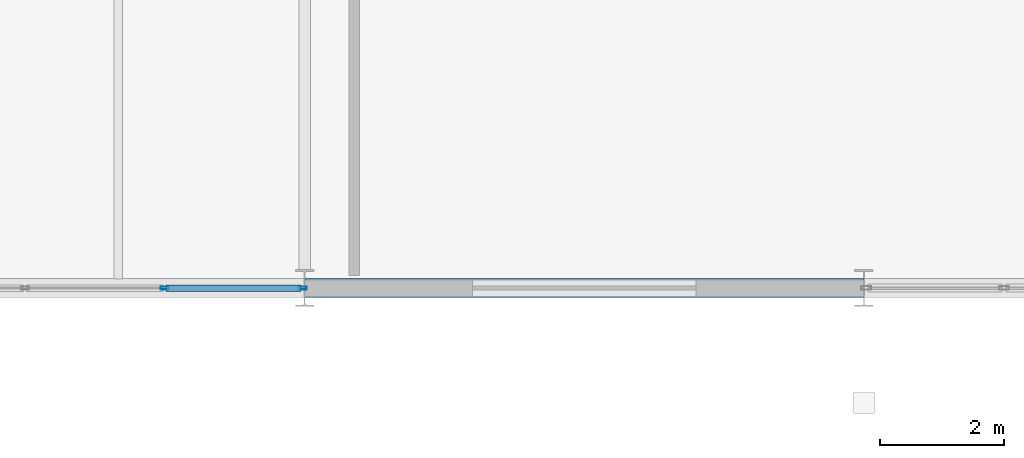
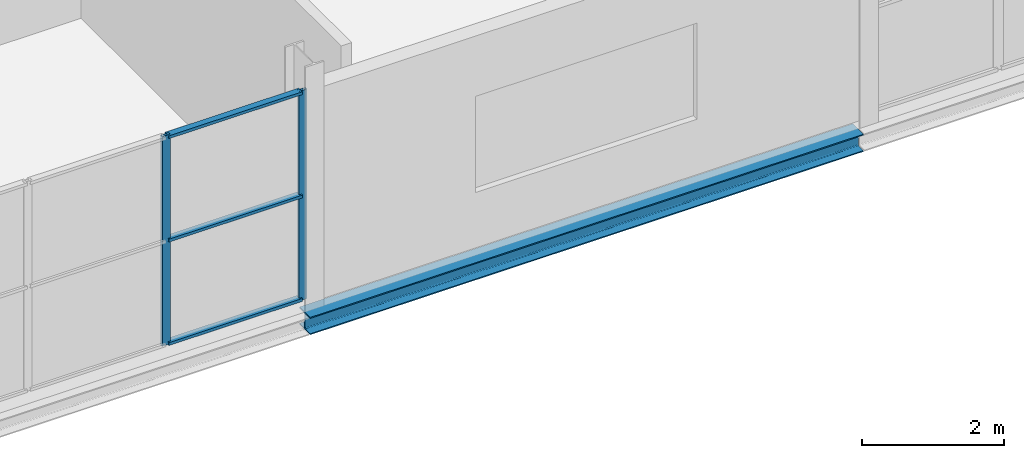
# One storey, part 17 of 44: 5 members, 1 beam, 1 element without a shape of its own.
"""IFC4 building model written with IfcOpenShell, lengths in metres."""

from ifc_helpers import new_model, si_unit, direction, frame, origin, origin_2d, place, context, subcontext, project, spatial, hollow_rectangle, i_section, extrude, material, layer, layer_set, material_profile, profile_set, type_object, element, aggregate, save


model = new_model("IFC4")

# Units and contexts
model_context = context("Model", 3, precision=1e-05, world=origin(), true_north=direction((0.0, 1.0)))
body_context = subcontext(model_context, "Body", "Model", "MODEL_VIEW")
ifc_project = project(units=[si_unit("LENGTHUNIT", "METRE"), si_unit("AREAUNIT", "SQUARE_METRE"), si_unit("VOLUMEUNIT", "CUBIC_METRE"), si_unit("PLANEANGLEUNIT", "RADIAN"), si_unit("MASSUNIT", "GRAM", prefix="KILO")], contexts=[model_context])

# Site, building, storey
site_placement = place(None, origin())
site = spatial("IfcSite", under=ifc_project, at=site_placement, CompositionType="ELEMENT")
building_placement = place(site_placement, origin())
building = spatial("IfcBuilding", under=site, at=building_placement, Name="Deido Ridge Mobility Hub", CompositionType="ELEMENT")
storey_placement = place(building_placement, frame((0.0, 0.0, 25.199951171875)))
storey = spatial("IfcBuildingStorey", under=building, at=storey_placement, Name="L06", CompositionType="ELEMENT", Elevation=25.199951171875)

# Curtain wall, members
ifc_material_1 = material(Name="Anodised aluminium EN AW-6063 T6", Category="aluminium")
ifc_layer = layer(ifc_material_1, 0.1650390625, Name="Anodised aluminium EN AW-6063 T6")
ifc_layer_set = layer_set([ifc_layer], Name="Anodised aluminium EN AW-6063 T6")
curtain_wall_type = type_object("IfcCurtainWallType", Name="CW-UF-1", PredefinedType="USERDEFINED", material=ifc_layer_set)
curtain_wall_placement = place(storey_placement, origin())
curtain_wall = element("IfcCurtainWall", 1, at=curtain_wall_placement, inside=storey, type_object=curtain_wall_type, Name="Unitised curtain wall CW1", ObjectType="UNITISED FACADE", PredefinedType="USERDEFINED")
ifc_material_profile_1 = material_profile(ifc_material_1, hollow_rectangle(XDim=0.050048828125, YDim=0.1298828125, WallThickness=0.00390625, at=origin_2d()), Name="RHS 50x130x4")
ifc_profile_set_1 = profile_set([ifc_material_profile_1], Name="Anodised aluminium EN AW-6063 T6")
member_type_1 = type_object("IfcMemberType", Name="MEM-MUL-50X130", PredefinedType="MULLION", material=ifc_profile_set_1)
member_1_placement = place(storey_placement, frame((159.74609375, 0.0, 0.0), z_axis=(0.0, 0.0, 1.0), x_axis=(0.0, 1.0, 0.0)))
member_1 = element("IfcMember", 2, at=member_1_placement, type_object=member_type_1, Name="CW1 mullion 4", PredefinedType="MULLION", context=body_context, shape_type="SweptSolid", body=[
    extrude(hollow_rectangle(XDim=0.050048828125, YDim=0.1298828125, WallThickness=0.00390625, at=origin_2d()), origin(), (0.0, 0.0, 1.0), 3.60009765625),
])
member_2_placement = place(storey_placement, frame((161.96728515625, 0.0, 0.0), z_axis=(0.0, 0.0, 1.0), x_axis=(0.0, 1.0, 0.0)))
member_2 = element("IfcMember", 3, at=member_2_placement, type_object=member_type_1, Name="CW1 mullion 5", PredefinedType="MULLION", context=body_context, shape_type="SweptSolid", body=[
    extrude(hollow_rectangle(XDim=0.050048828125, YDim=0.1298828125, WallThickness=0.00390625, at=origin_2d()), origin(), (0.0, 0.0, 1.0), 3.60009765625),
])
ifc_material_profile_2 = material_profile(ifc_material_1, hollow_rectangle(XDim=0.10498046875, YDim=0.050048828125, WallThickness=0.00390625, at=origin_2d()), Name="RHS 105x50x4")
ifc_profile_set_2 = profile_set([ifc_material_profile_2], Name="Anodised aluminium EN AW-6063 T6")
member_type_2 = type_object("IfcMemberType", Name="MEM-TRN-105X50", PredefinedType="USERDEFINED", material=ifc_profile_set_2)
member_3_placement = place(storey_placement, frame((159.771240234375, 0.0, 0.025146484375), z_axis=(1.0, 0.0, 0.0), x_axis=(0.0, 1.0, 0.0)))
member_3 = element("IfcMember", 4, at=member_3_placement, type_object=member_type_2, Name="CW1 transom 4.1", ObjectType="TRANSOM", PredefinedType="USERDEFINED", context=body_context, shape_type="SweptSolid", body=[
    extrude(hollow_rectangle(XDim=0.10498046875, YDim=0.050048828125, WallThickness=0.00390625, at=origin_2d()), origin(), (0.0, 0.0, 1.0), 2.171142578125),
])
member_4_placement = place(storey_placement, frame((159.771240234375, 0.0, 1.800048828125), z_axis=(1.0, 0.0, 0.0), x_axis=(0.0, 1.0, 0.0)))
member_4 = element("IfcMember", 5, at=member_4_placement, type_object=member_type_2, Name="CW1 transom 4.2", ObjectType="TRANSOM", PredefinedType="USERDEFINED", context=body_context, shape_type="SweptSolid", body=[
    extrude(hollow_rectangle(XDim=0.10498046875, YDim=0.050048828125, WallThickness=0.00390625, at=origin_2d()), origin(), (0.0, 0.0, 1.0), 2.171142578125),
])
member_5_placement = place(storey_placement, frame((159.771240234375, 0.0, 3.574951171875), z_axis=(1.0, 0.0, 0.0), x_axis=(0.0, 1.0, 0.0)))
member_5 = element("IfcMember", 6, at=member_5_placement, type_object=member_type_2, Name="CW1 transom 4.3", ObjectType="TRANSOM", PredefinedType="USERDEFINED", context=body_context, shape_type="SweptSolid", body=[
    extrude(hollow_rectangle(XDim=0.10498046875, YDim=0.050048828125, WallThickness=0.00390625, at=origin_2d()), origin(), (0.0, 0.0, 1.0), 2.171142578125),
])
aggregate(curtain_wall, [member_1, member_2, member_3, member_4, member_5])

# Beam
ifc_material_2 = material(Name="Steel S355J2 EN 10025-2", Category="steel")
ifc_material_profile_3 = material_profile(ifc_material_2, i_section(OverallWidth=0.300048828125, OverallDepth=0.300048828125, WebThickness=0.010986328125, FlangeThickness=0.01904296875, FilletRadius=0.027099609375, at=origin_2d()), Name="HEB 300")
ifc_profile_set_3 = profile_set([ifc_material_profile_3], Name="Steel S355J2 EN 10025-2")
beam_type = type_object("IfcBeamType", Name="SPD-HEB300", PredefinedType="SPANDREL", material=ifc_profile_set_3)
beam_placement = place(storey_placement, frame((162.0078125, 0.0, -0.389892578125), z_axis=(1.0, 0.0, 0.0), x_axis=(0.0, 1.0, 0.0)))
element("IfcBeam", 7, at=beam_placement, inside=storey, type_object=beam_type, Name="Floor beam SP1", PredefinedType="SPANDREL", context=body_context, shape_type="SweptSolid", body=[
    extrude(i_section(OverallWidth=0.300048828125, OverallDepth=0.300048828125, WebThickness=0.010986328125, FlangeThickness=0.01904296875, FilletRadius=0.027099609375, at=origin_2d()), origin(), (0.0, 0.0, 1.0), 8.984375),
])

save(model, "model.ifc")
